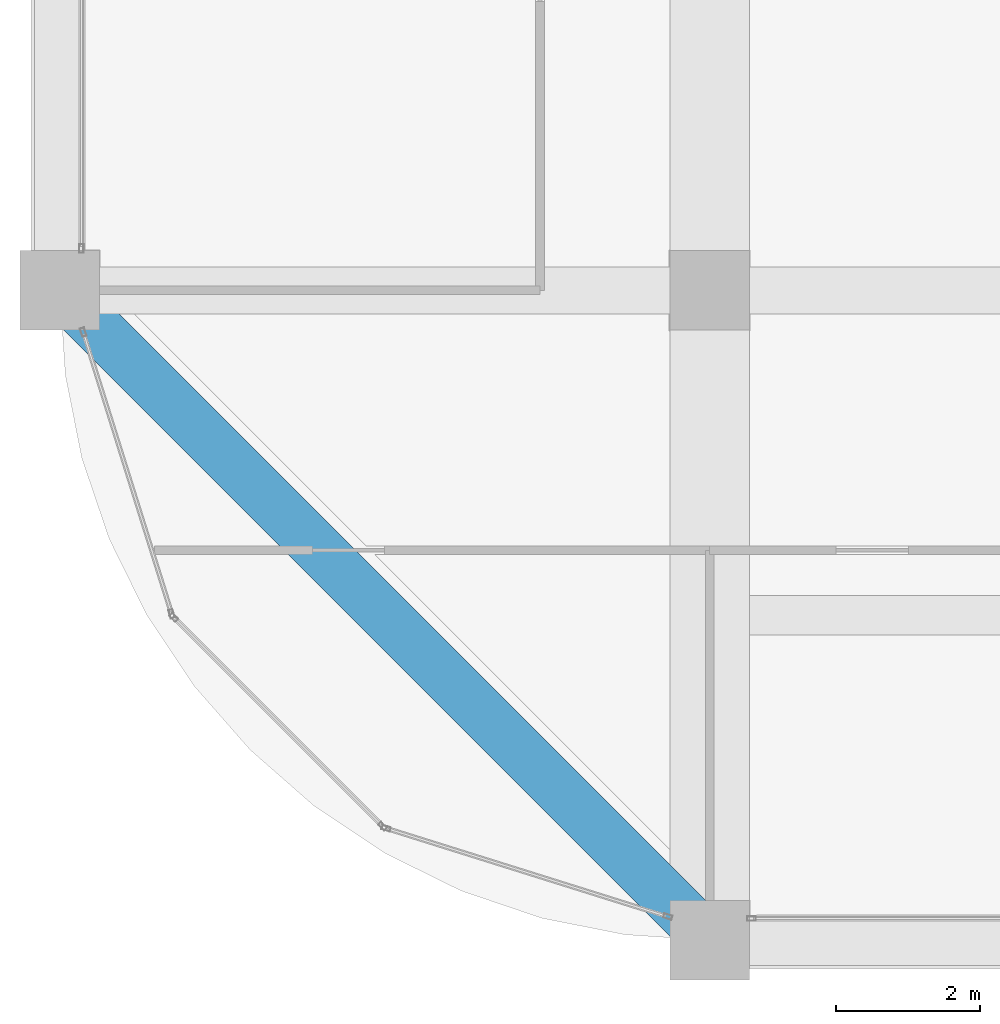
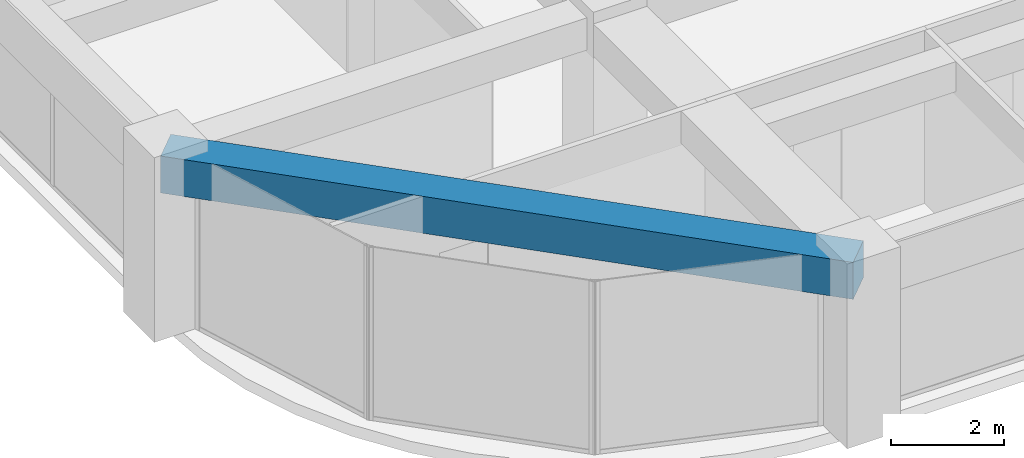
# One storey, part 3 of 44: 1 beam.
"""IFC4 building model written with IfcOpenShell, lengths in metres."""

from ifc_helpers import new_model, si_unit, direction, frame, origin, origin_2d, place, context, subcontext, project, spatial, rectangle, extrude, material, material_profile, profile_set, type_object, element, save


model = new_model("IFC4")

# Units and contexts
model_context = context("Model", 3, precision=1e-05, world=origin(), true_north=direction((0.0, 1.0)))
body_context = subcontext(model_context, "Body", "Model", "MODEL_VIEW")
ifc_project = project(units=[si_unit("LENGTHUNIT", "METRE"), si_unit("AREAUNIT", "SQUARE_METRE"), si_unit("VOLUMEUNIT", "CUBIC_METRE"), si_unit("PLANEANGLEUNIT", "RADIAN"), si_unit("MASSUNIT", "GRAM", prefix="KILO")], contexts=[model_context])

# Site, building, storey
site_placement = place(None, origin())
site = spatial("IfcSite", under=ifc_project, at=site_placement, CompositionType="ELEMENT")
building_placement = place(site_placement, origin())
building = spatial("IfcBuilding", under=site, at=building_placement, Name="Zorevar Civic Tower", CompositionType="ELEMENT")
storey_placement = place(building_placement, frame((0.0, 0.0, 295.39990234375)))
storey = spatial("IfcBuildingStorey", under=building, at=storey_placement, Name="L72", CompositionType="ELEMENT", Elevation=295.39990234375)

# Beam
ifc_material = material(Name="Concrete C50/60", Category="concrete")
ifc_material_profile = material_profile(ifc_material, rectangle(XDim=0.699951171875, YDim=0.800048828125, at=origin_2d()), Name="RC 700x800")
ifc_profile_set = profile_set([ifc_material_profile], Name="Concrete C50/60")
beam_type = type_object("IfcBeamType", Name="Edge beam RC 700x800", PredefinedType="SPANDREL", material=ifc_profile_set)
beam_placement = place(storey_placement, frame((9.0, 9.0, 3.35009765625), z_axis=(0.707106781187, -0.707106781187, 0.0), x_axis=(0.707106781187, 0.707106781187, 0.0)))
element("IfcBeam", 1, at=beam_placement, inside=storey, type_object=beam_type, Name="Corner edge beam L73", PredefinedType="SPANDREL", context=body_context, shape_type="SweptSolid", body=[
    extrude(rectangle(XDim=0.699951171875, YDim=0.800048828125, at=origin_2d()), origin(), (0.0, 0.0, 1.0), 12.72802734375),
])

save(model, "model.ifc")
